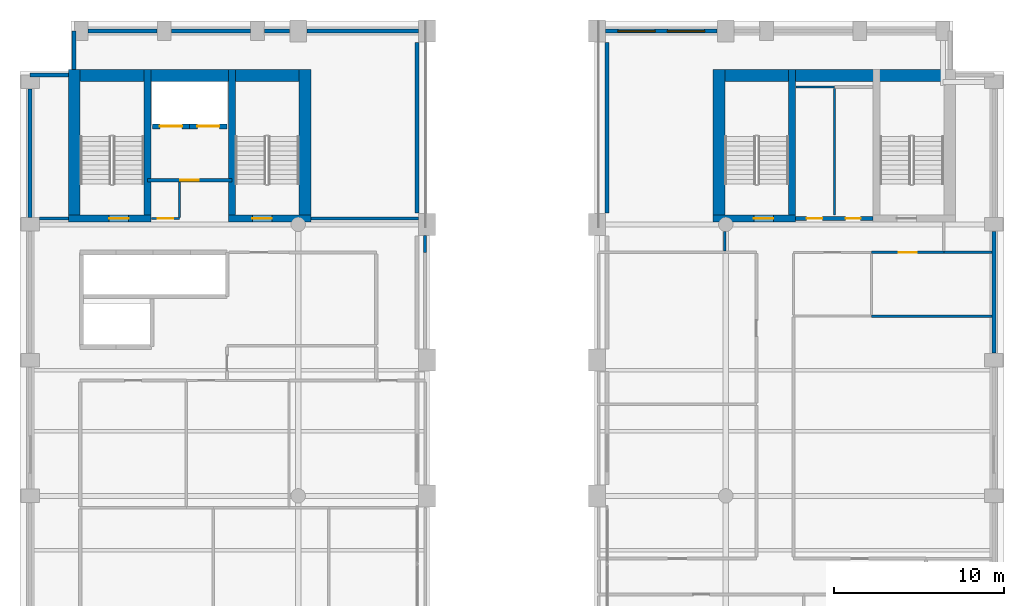
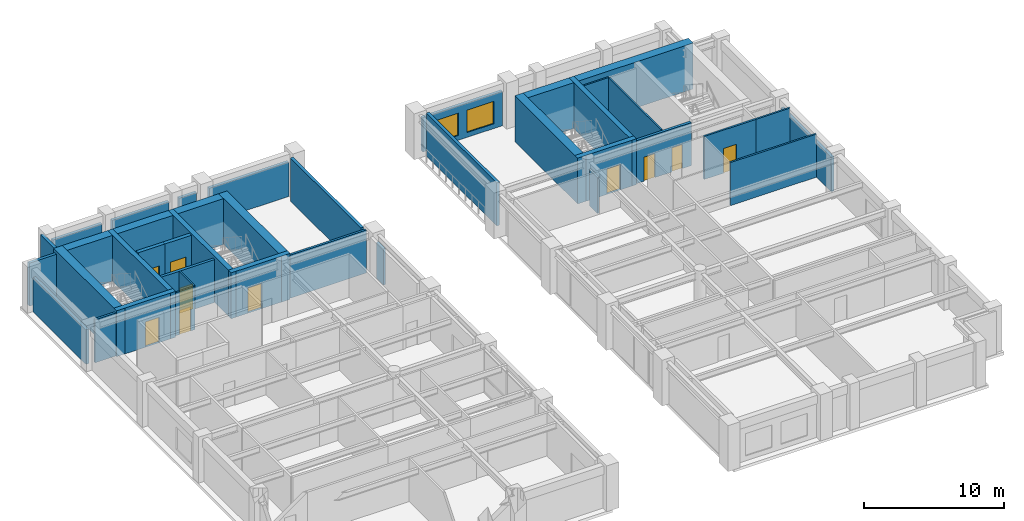
# One storey, part 7 of 10: 37 walls, 10 doors, 2 windows, 12 openings.
"""IFC4 building model written with IfcOpenShell, lengths in metres."""

from ifc_helpers import new_model, si_unit, direction, frame, frame_2d, origin, place, context, subcontext, project, spatial, rectangle, extrude, material, layer, layer_set, type_object, element, fill, save


model = new_model("IFC4")

# Units and contexts
model_context = context("Model", 3, precision=1e-05, world=origin(), true_north=direction((0.0, 1.0)))
body_context = subcontext(model_context, "Body", "Model", "MODEL_VIEW")
ifc_project = project(units=[si_unit("LENGTHUNIT", "METRE"), si_unit("AREAUNIT", "SQUARE_METRE"), si_unit("VOLUMEUNIT", "CUBIC_METRE"), si_unit("PLANEANGLEUNIT", "RADIAN"), si_unit("MASSUNIT", "GRAM", prefix="KILO")], contexts=[model_context])

# Site, building, storey
site_placement = place(None, origin())
site = spatial("IfcSite", under=ifc_project, at=site_placement, CompositionType="ELEMENT")
building_placement = place(site_placement, origin())
building = spatial("IfcBuilding", under=site, at=building_placement, Name="Sulina Concourse Tower", CompositionType="ELEMENT")
storey_placement = place(building_placement, frame((0.0, 0.0, 190.60009765625)))
storey = spatial("IfcBuildingStorey", under=building, at=storey_placement, Name="L46", CompositionType="ELEMENT", Elevation=190.60009765625)

# Wall, opening, door
ifc_material_1 = material(Name="Concrete C50/60", Category="concrete")
ifc_layer_1 = layer(ifc_material_1, 0.300048828125)
ifc_layer_set_1 = layer_set([ifc_layer_1], Name="Concrete C50/60")
wall_type_1 = type_object("IfcWallType", Name="Core Lift Hoistway Wall 300mm", PredefinedType="SOLIDWALL", material=ifc_layer_set_1)
wall_1_placement = place(storey_placement, frame((10.0, 39.780029296875, 0.0), z_axis=(0.0, 0.0, 1.0), x_axis=(-1.0, 0.0, 0.0)))
wall_1 = element("IfcWall", 1, at=wall_1_placement, inside=storey, type_object=wall_type_1, Name="L46 hoistway enclosure wall FFL-1", PredefinedType="SOLIDWALL", context=body_context, shape_type="SweptSolid", body=[
    extrude(rectangle(XDim=2.199951171875, YDim=0.300048828125, at=frame_2d((1.10009765625, 0.0))), origin(), (0.0, 0.0, 1.0), 4.0),
])
opening_1_placement = place(wall_1_placement, frame((0.449951171875, 0.0, 0.0)))
opening_1 = element("IfcOpeningElement", 2, at=opening_1_placement, cuts=wall_1, Name="Opening LD-02", PredefinedType="OPENING", context=body_context, shape_type="SweptSolid", body=[
    extrude(rectangle(XDim=1.300048828125, YDim=2.25, at=frame_2d((0.64990234375, 1.125))), frame((0.0, 0.159912109375, 0.0), z_axis=(0.0, -1.0, 0.0), x_axis=(1.0, 0.0, 0.0)), (0.0, 0.0, 1.0), 0.320068359375),
])
ifc_material_2 = material(Name="Stainless steel lift landing door", Category="steel")
ifc_layer_2 = layer(ifc_material_2, 0.050048828125)
ifc_layer_set_2 = layer_set([ifc_layer_2], Name="Stainless steel lift landing door")
door_type_1 = type_object("IfcDoorType", Name="Firefighting Lift Sliding Landing Door 1300x2250", OperationType="SLIDING_TO_RIGHT", PredefinedType="DOOR", material=ifc_layer_set_2)
door_1_placement = place(opening_1_placement, origin())
door_1 = element("IfcDoor", 3, at=door_1_placement, inside=storey, type_object=door_type_1, Name="L46 lift landing sliding door FFL-1", OperationType="SLIDING_TO_LEFT", OverallHeight=2.25, OverallWidth=1.300048828125, PredefinedType="DOOR", context=body_context, shape_type="SweptSolid", body=[
    extrude(rectangle(XDim=1.300048828125, YDim=2.25, at=frame_2d((0.64990234375, 1.125))), frame((0.0, 0.02490234375, 0.0), z_axis=(0.0, -1.0, 0.0), x_axis=(1.0, 0.0, 0.0)), (0.0, 0.0, 1.0), 0.050048828125),
])
fill(opening_1, door_1)

wall_2_placement = place(storey_placement, frame((12.199951171875, 39.780029296875, 0.0), z_axis=(0.0, 0.0, 1.0), x_axis=(-1.0, 0.0, 0.0)))
wall_2 = element("IfcWall", 4, at=wall_2_placement, inside=storey, type_object=wall_type_1, Name="L46 hoistway enclosure wall FFL-2", PredefinedType="SOLIDWALL", context=body_context, shape_type="SweptSolid", body=[
    extrude(rectangle(XDim=2.199951171875, YDim=0.300048828125, at=frame_2d((1.10009765625, 0.0))), origin(), (0.0, 0.0, 1.0), 4.0),
])
opening_2_placement = place(wall_2_placement, frame((0.449951171875, 0.0, 0.0)))
opening_2 = element("IfcOpeningElement", 5, at=opening_2_placement, cuts=wall_2, Name="Opening LD-02", PredefinedType="OPENING", context=body_context, shape_type="SweptSolid", body=[
    extrude(rectangle(XDim=1.300048828125, YDim=2.25, at=frame_2d((0.64990234375, 1.125))), frame((0.0, 0.159912109375, 0.0), z_axis=(0.0, -1.0, 0.0), x_axis=(1.0, 0.0, 0.0)), (0.0, 0.0, 1.0), 0.320068359375),
])
door_2_placement = place(opening_2_placement, origin())
door_2 = element("IfcDoor", 6, at=door_2_placement, inside=storey, type_object=door_type_1, Name="L46 lift landing sliding door FFL-2", OperationType="SLIDING_TO_RIGHT", OverallHeight=2.25, OverallWidth=1.300048828125, PredefinedType="DOOR", context=body_context, shape_type="SweptSolid", body=[
    extrude(rectangle(XDim=1.300048828125, YDim=2.25, at=frame_2d((0.64990234375, 1.125))), frame((0.0, 0.02490234375, 0.0), z_axis=(0.0, -1.0, 0.0), x_axis=(1.0, 0.0, 0.0)), (0.0, 0.0, 1.0), 0.050048828125),
])
fill(opening_2, door_2)

# Walls
ifc_material_3 = material(Name="Precast concrete C50/60", Category="concrete")
ifc_layer_3 = layer(ifc_material_3, 0.239990234375)
ifc_layer_set_3 = layer_set([ifc_layer_3], Name="Precast concrete C50/60")
wall_type_2 = type_object("IfcWallType", Name="Crown Precast Masonry-Frame Facade Wall 240mm", PredefinedType="SOLIDWALL", material=ifc_layer_set_3)
wall_3_placement = place(storey_placement, frame((0.60009765625, 34.419921875, 0.0), z_axis=(0.0, 0.0, 1.0), x_axis=(0.0, 1.0, 0.0)))
element("IfcWall", 7, at=wall_3_placement, inside=storey, type_object=wall_type_2, Name="L46 exterior precast wall W5", PredefinedType="SOLIDWALL", context=body_context, shape_type="SweptSolid", body=[
    extrude(rectangle(XDim=7.56005859375, YDim=0.239990234375, at=frame_2d((3.780029296875, 0.0))), origin(), (0.0, 0.0, 1.0), 3.0),
])
wall_4_placement = place(storey_placement, frame((4.02001953125, 45.39990234375, 0.0), z_axis=(0.0, 0.0, 1.0), x_axis=(1.0, 0.0, 0.0)))
element("IfcWall", 8, at=wall_4_placement, inside=storey, type_object=wall_type_2, Name="L46 exterior precast wall N1", PredefinedType="SOLIDWALL", context=body_context, shape_type="SweptSolid", body=[
    extrude(rectangle(XDim=4.06005859375, YDim=0.239990234375, at=frame_2d((2.030029296875, 0.0))), origin(), (0.0, 0.0, 1.0), 3.0),
])
wall_5_placement = place(storey_placement, frame((8.919921875, 45.39990234375, 0.0), z_axis=(0.0, 0.0, 1.0), x_axis=(1.0, 0.0, 0.0)))
element("IfcWall", 9, at=wall_5_placement, inside=storey, type_object=wall_type_2, Name="L46 exterior precast wall N2", PredefinedType="SOLIDWALL", context=body_context, shape_type="SweptSolid", body=[
    extrude(rectangle(XDim=4.66015625, YDim=0.239990234375, at=frame_2d((2.330078125, 0.0))), origin(), (0.0, 0.0, 1.0), 3.0),
])
wall_6_placement = place(storey_placement, frame((14.419921875, 45.39990234375, 0.0), z_axis=(0.0, 0.0, 1.0), x_axis=(1.0, 0.0, 0.0)))
element("IfcWall", 10, at=wall_6_placement, inside=storey, type_object=wall_type_2, Name="L46 exterior precast wall N3", PredefinedType="SOLIDWALL", context=body_context, shape_type="SweptSolid", body=[
    extrude(rectangle(XDim=1.4599609375, YDim=0.239990234375, at=frame_2d((0.72998046875, 0.0))), origin(), (0.0, 0.0, 1.0), 3.0),
])
wall_7_placement = place(storey_placement, frame((16.919921875, 45.39990234375, 0.0), z_axis=(0.0, 0.0, 1.0), x_axis=(1.0, 0.0, 0.0)))
element("IfcWall", 11, at=wall_7_placement, inside=storey, type_object=wall_type_2, Name="L46 exterior precast wall N4", PredefinedType="SOLIDWALL", context=body_context, shape_type="SweptSolid", body=[
    extrude(rectangle(XDim=6.56005859375, YDim=0.239990234375, at=frame_2d((3.280029296875, 0.0))), origin(), (0.0, 0.0, 1.0), 3.0),
])

# Wall, openings, windows
wall_8_placement = place(storey_placement, frame((34.52001953125, 45.39990234375, 0.0), z_axis=(0.0, 0.0, 1.0), x_axis=(1.0, 0.0, 0.0)))
wall_8 = element("IfcWall", 12, at=wall_8_placement, inside=storey, type_object=wall_type_2, Name="L46 exterior precast wall N6", PredefinedType="SOLIDWALL", context=body_context, shape_type="SweptSolid", body=[
    extrude(rectangle(XDim=6.56005859375, YDim=0.239990234375, at=frame_2d((3.280029296875, 0.0))), origin(), (0.0, 0.0, 1.0), 3.0),
])
opening_3_placement = place(wall_8_placement, frame((0.719970703125, 0.0, 0.419921875)))
opening_3 = element("IfcOpeningElement", 13, at=opening_3_placement, cuts=wall_8, Name="Opening WN-76", PredefinedType="OPENING", context=body_context, shape_type="SweptSolid", body=[
    extrude(rectangle(XDim=2.199951171875, YDim=1.949951171875, at=frame_2d((1.10009765625, 0.97509765625))), frame((0.0, 0.1298828125, 0.0), z_axis=(0.0, -1.0, 0.0), x_axis=(1.0, 0.0, 0.0)), (0.0, 0.0, 1.0), 0.260009765625),
])
opening_4_placement = place(wall_8_placement, frame((3.639892578125, 0.0, 0.419921875)))
opening_4 = element("IfcOpeningElement", 14, at=opening_4_placement, cuts=wall_8, Name="Opening WN-76", PredefinedType="OPENING", context=body_context, shape_type="SweptSolid", body=[
    extrude(rectangle(XDim=2.199951171875, YDim=1.949951171875, at=frame_2d((1.10009765625, 0.97509765625))), frame((0.0, 0.1298828125, 0.0), z_axis=(0.0, -1.0, 0.0), x_axis=(1.0, 0.0, 0.0)), (0.0, 0.0, 1.0), 0.260009765625),
])
ifc_material_4 = material(Name="Low-E solar double glazing in bronze aluminium", Category="aluminium")
window_type = type_object("IfcWindowType", Name="Recessed Spandrel Window 2200x1950", PartitioningType="DOUBLE_PANEL_VERTICAL", PredefinedType="WINDOW", material=ifc_material_4)
window_1_placement = place(opening_3_placement, origin())
window_1 = element("IfcWindow", 15, at=window_1_placement, inside=storey, type_object=window_type, Name="L46 punched window N6-1", OverallHeight=1.949951171875, OverallWidth=2.199951171875, PartitioningType="SINGLE_PANEL", PredefinedType="WINDOW", context=body_context, shape_type="SweptSolid", body=[
    extrude(rectangle(XDim=2.199951171875, YDim=1.949951171875, at=frame_2d((1.10009765625, 0.97509765625))), frame((0.0, 0.030029296875, 0.0), z_axis=(0.0, -1.0, 0.0), x_axis=(1.0, 0.0, 0.0)), (0.0, 0.0, 1.0), 0.06005859375),
])
fill(opening_3, window_1)
window_2_placement = place(opening_4_placement, origin())
window_2 = element("IfcWindow", 16, at=window_2_placement, inside=storey, type_object=window_type, Name="L46 punched window N6-2", OverallHeight=1.949951171875, OverallWidth=2.199951171875, PartitioningType="SINGLE_PANEL", PredefinedType="WINDOW", context=body_context, shape_type="SweptSolid", body=[
    extrude(rectangle(XDim=2.199951171875, YDim=1.949951171875, at=frame_2d((1.10009765625, 0.97509765625))), frame((0.0, 0.030029296875, 0.0), z_axis=(0.0, -1.0, 0.0), x_axis=(1.0, 0.0, 0.0)), (0.0, 0.0, 1.0), 0.06005859375),
])
fill(opening_4, window_2)

# Walls
wall_9_placement = place(storey_placement, frame((57.39990234375, 33.580078125, 0.0), z_axis=(0.0, 0.0, 1.0), x_axis=(0.0, -1.0, 0.0)))
element("IfcWall", 17, at=wall_9_placement, inside=storey, type_object=wall_type_2, Name="L46 exterior precast wall E4", PredefinedType="SOLIDWALL", context=body_context, shape_type="SweptSolid", body=[
    extrude(rectangle(XDim=7.16015625, YDim=0.239990234375, at=frame_2d((3.580078125, 0.0))), origin(), (0.0, 0.0, 1.0), 3.0),
])
wall_10_placement = place(storey_placement, frame((0.60009765625, 42.820068359375, 0.0), z_axis=(0.0, 0.0, 1.0), x_axis=(1.0, 0.0, 0.0)))
element("IfcWall", 18, at=wall_10_placement, inside=storey, type_object=wall_type_2, Name="L46 exterior precast wall CNW1", PredefinedType="SOLIDWALL", context=body_context, shape_type="SweptSolid", body=[
    extrude(rectangle(XDim=2.244873046875, YDim=0.239990234375, at=frame_2d((1.12255859375, 0.0))), origin(), (0.0, 0.0, 1.0), 3.75),
])
wall_11_placement = place(storey_placement, frame((3.179931640625, 43.135009765625, 0.0), z_axis=(0.0, 0.0, 1.0), x_axis=(0.0, 1.0, 0.0)))
element("IfcWall", 19, at=wall_11_placement, inside=storey, type_object=wall_type_2, Name="L46 exterior precast wall CNW2", PredefinedType="SOLIDWALL", context=body_context, shape_type="SweptSolid", body=[
    extrude(rectangle(XDim=2.264892578125, YDim=0.239990234375, at=frame_2d((1.13232421875, 0.0))), origin(), (0.0, 0.0, 1.0), 3.75),
])
for number, where, z_axis, x_axis, name in (
    (20, (23.39990234375, 44.72998046875, 0.0), (0.0, 0.0, 1.0), (0.0, -1.0, 0.0), "L46 exterior precast wall PW5"),
    (21, (34.60009765625, 34.669921875, 0.0), (0.0, 0.0, 1.0), (0.0, 1.0, 0.0), "L46 exterior precast wall PE5"),
):
    element("IfcWall", number, at=place(storey_placement, frame(where, z_axis=z_axis, x_axis=x_axis)), inside=storey, type_object=wall_type_2, Name=name, PredefinedType="SOLIDWALL", context=body_context, shape_type="SweptSolid", body=[
        extrude(rectangle(XDim=10.06005859375, YDim=0.239990234375, at=frame_2d((5.030029296875, 0.0))), origin(), (0.0, 0.0, 1.0), 3.75),
    ])

# Wall, opening, door
ifc_material_5 = material(Name="Gypsum board on steel stud", Category="steel")
ifc_layer_4 = layer(ifc_material_5, 0.219970703125)
ifc_layer_set_4 = layer_set([ifc_layer_4], Name="Gypsum board on steel stud")
wall_type_3 = type_object("IfcWallType", Name="Fire-Rated Lobby & Compartment Wall 220mm", PredefinedType="PARTITIONING", material=ifc_layer_set_4)
wall_12_placement = place(storey_placement, frame((7.510009765625, 36.60009765625, 0.0), z_axis=(0.0, 0.0, 1.0), x_axis=(1.0, 0.0, 0.0)))
wall_12 = element("IfcWall", 22, at=wall_12_placement, inside=storey, type_object=wall_type_3, Name="L46 firefighting lobby south fire wall", PredefinedType="PARTITIONING", context=body_context, shape_type="SweptSolid", body=[
    extrude(rectangle(XDim=4.97998046875, YDim=0.219970703125, at=frame_2d((2.489990234375, 0.0))), origin(), (0.0, 0.0, 1.0), 3.75),
])
opening_5_placement = place(wall_12_placement, frame((1.93994140625, 0.0, 0.0)))
opening_5 = element("IfcOpeningElement", 23, at=opening_5_placement, cuts=wall_12, Name="Opening DR-47", PredefinedType="OPENING", context=body_context, shape_type="SweptSolid", body=[
    extrude(rectangle(XDim=1.10009765625, YDim=2.199951171875, at=frame_2d((0.550048828125, 1.10009765625))), frame((0.0, 0.119873046875, 0.0), z_axis=(0.0, -1.0, 0.0), x_axis=(1.0, 0.0, 0.0)), (0.0, 0.0, 1.0), 0.239990234375),
])
ifc_material_6 = material(Name="Galvanised steel acoustic fire leaf", Category="steel")
ifc_layer_5 = layer(ifc_material_6, 0.054931640625)
ifc_layer_set_5 = layer_set([ifc_layer_5], Name="Galvanised steel acoustic fire leaf")
door_type_2 = type_object("IfcDoorType", Name="Firefighting Lobby Fire Door 1100x2200", OperationType="NOTDEFINED", PredefinedType="DOOR", material=ifc_layer_set_5)
door_3_placement = place(opening_5_placement, origin())
door_3 = element("IfcDoor", 24, at=door_3_placement, inside=storey, type_object=door_type_2, Name="L46 firefighting lobby fire door", OperationType="SINGLE_SWING_LEFT", OverallHeight=2.199951171875, OverallWidth=1.10009765625, PredefinedType="DOOR", context=body_context, shape_type="SweptSolid", body=[
    extrude(rectangle(XDim=1.10009765625, YDim=2.199951171875, at=frame_2d((0.550048828125, 1.10009765625))), frame((0.0, 0.02490234375, 0.0), z_axis=(0.0, -1.0, 0.0), x_axis=(1.0, 0.0, 0.0)), (0.0, 0.0, 1.0), 0.050048828125),
])
fill(opening_5, door_3)

# Wall, openings, doors
wall_13_placement = place(storey_placement, frame((45.719970703125, 34.35009765625, 0.0), z_axis=(0.0, 0.0, 1.0), x_axis=(1.0, 0.0, 0.0)))
wall_13 = element("IfcWall", 25, at=wall_13_placement, inside=storey, type_object=wall_type_3, Name="L46 east core south lobby wall", PredefinedType="PARTITIONING", context=body_context, shape_type="SweptSolid", body=[
    extrude(rectangle(XDim=4.56005859375, YDim=0.219970703125, at=frame_2d((2.280029296875, 0.0))), origin(), (0.0, 0.0, 1.0), 3.75),
])
opening_6_placement = place(wall_13_placement, frame((0.64990234375, 0.0, 0.0)))
opening_6 = element("IfcOpeningElement", 26, at=opening_6_placement, cuts=wall_13, Name="Opening DR-61", PredefinedType="OPENING", context=body_context, shape_type="SweptSolid", body=[
    extrude(rectangle(XDim=0.919921875, YDim=2.10009765625, at=frame_2d((0.4599609375, 1.050048828125))), frame((0.0, 0.119873046875, 0.0), z_axis=(0.0, -1.0, 0.0), x_axis=(1.0, 0.0, 0.0)), (0.0, 0.0, 1.0), 0.239990234375),
])
opening_7_placement = place(wall_13_placement, frame((2.949951171875, 0.0, 0.0)))
opening_7 = element("IfcOpeningElement", 27, at=opening_7_placement, cuts=wall_13, Name="Opening DR-38", PredefinedType="OPENING", context=body_context, shape_type="SweptSolid", body=[
    extrude(rectangle(XDim=0.8798828125, YDim=2.10009765625, at=frame_2d((0.43994140625, 1.050048828125))), frame((0.0, 0.119873046875, 0.0), z_axis=(0.0, -1.0, 0.0), x_axis=(1.0, 0.0, 0.0)), (0.0, 0.0, 1.0), 0.239990234375),
])
ifc_material_7 = material(Name="Oak-veneered fire door leaf")
ifc_layer_6 = layer(ifc_material_7, 0.050048828125)
ifc_layer_set_6 = layer_set([ifc_layer_6], Name="Oak-veneered fire door leaf")
door_type_3 = type_object("IfcDoorType", Name="Accessible WC Door 920x2100", OperationType="NOTDEFINED", PredefinedType="DOOR", material=ifc_layer_set_6)
door_4_placement = place(opening_6_placement, origin())
door_4 = element("IfcDoor", 28, at=door_4_placement, inside=storey, type_object=door_type_3, Name="L46 east core accessible wc door", OperationType="SINGLE_SWING_LEFT", OverallHeight=2.10009765625, OverallWidth=0.919921875, PredefinedType="DOOR", context=body_context, shape_type="SweptSolid", body=[
    extrude(rectangle(XDim=0.919921875, YDim=2.10009765625, at=frame_2d((0.4599609375, 1.050048828125))), frame((0.0, 0.02490234375, 0.0), z_axis=(0.0, -1.0, 0.0), x_axis=(1.0, 0.0, 0.0)), (0.0, 0.0, 1.0), 0.050048828125),
])
fill(opening_6, door_4)
ifc_material_8 = material(Name="Galvanised steel acoustic fire leaf", Category="steel")
ifc_layer_7 = layer(ifc_material_8, 0.050048828125)
ifc_layer_set_7 = layer_set([ifc_layer_7], Name="Galvanised steel acoustic fire leaf")
door_type_4 = type_object("IfcDoorType", Name="Service Riser Fire Door 880x2100", OperationType="NOTDEFINED", PredefinedType="DOOR", material=ifc_layer_set_7)
door_5_placement = place(opening_7_placement, origin())
door_5 = element("IfcDoor", 29, at=door_5_placement, inside=storey, type_object=door_type_4, Name="L46 east core store door", OperationType="SINGLE_SWING_RIGHT", OverallHeight=2.10009765625, OverallWidth=0.8798828125, PredefinedType="DOOR", context=body_context, shape_type="SweptSolid", body=[
    extrude(rectangle(XDim=0.8798828125, YDim=2.10009765625, at=frame_2d((0.43994140625, 1.050048828125))), frame((0.0, 0.02490234375, 0.0), z_axis=(0.0, -1.0, 0.0), x_axis=(1.0, 0.0, 0.0)), (0.0, 0.0, 1.0), 0.050048828125),
])
fill(opening_7, door_5)

# Wall
ifc_material_9 = material(Name="Gypsum board on steel stud", Category="steel")
ifc_layer_8 = layer(ifc_material_9, 0.14990234375)
ifc_layer_set_8 = layer_set([ifc_layer_8], Name="Gypsum board on steel stud")
wall_type_4 = type_object("IfcWallType", Name="Inter-Tenancy Acoustic Partition 150mm", PredefinedType="PARTITIONING", material=ifc_layer_set_8)
wall_14_placement = place(storey_placement, frame((50.199951171875, 28.60009765625, 0.0), z_axis=(0.0, 0.0, 1.0), x_axis=(1.0, 0.0, 0.0)))
element("IfcWall", 30, at=wall_14_placement, inside=storey, type_object=wall_type_4, Name="L46 interior partition 026", PredefinedType="PARTITIONING", context=body_context, shape_type="SweptSolid", body=[
    extrude(rectangle(XDim=7.080078125, YDim=0.14990234375, at=frame_2d((3.5400390625, 0.0))), origin(), (0.0, 0.0, 1.0), 3.75),
])

# Wall, opening, door
wall_15_placement = place(storey_placement, frame((50.199951171875, 32.35009765625, 0.0), z_axis=(0.0, 0.0, 1.0), x_axis=(1.0, 0.0, 0.0)))
wall_15 = element("IfcWall", 31, at=wall_15_placement, inside=storey, type_object=wall_type_4, Name="L46 interior partition 032", PredefinedType="PARTITIONING", context=body_context, shape_type="SweptSolid", body=[
    extrude(rectangle(XDim=4.25, YDim=0.14990234375, at=frame_2d((2.125, 0.0))), origin(), (0.0, 0.0, 1.0), 3.75),
])
opening_8_placement = place(wall_15_placement, frame((1.60009765625, 0.0, 0.0)))
opening_8 = element("IfcOpeningElement", 32, at=opening_8_placement, cuts=wall_15, Name="Opening DR-37", PredefinedType="OPENING", context=body_context, shape_type="SweptSolid", body=[
    extrude(rectangle(XDim=1.050048828125, YDim=2.14990234375, at=frame_2d((0.52490234375, 1.074951171875))), frame((0.0, 0.0849609375, 0.0), z_axis=(0.0, -1.0, 0.0), x_axis=(1.0, 0.0, 0.0)), (0.0, 0.0, 1.0), 0.169921875),
])
ifc_material_10 = material(Name="Oak-veneered fire door leaf")
ifc_layer_9 = layer(ifc_material_10, 0.050048828125)
ifc_layer_set_9 = layer_set([ifc_layer_9], Name="Oak-veneered fire door leaf")
door_type_5 = type_object("IfcDoorType", Name="Tenant Suite Entrance Fire Door 1050x2150", OperationType="NOTDEFINED", PredefinedType="DOOR", material=ifc_layer_set_9)
door_6_placement = place(opening_8_placement, origin())
door_6 = element("IfcDoor", 33, at=door_6_placement, inside=storey, type_object=door_type_5, Name="L46 interior door L46-PNT-EU2", OperationType="SINGLE_SWING_RIGHT", OverallHeight=2.14990234375, OverallWidth=1.050048828125, PredefinedType="DOOR", context=body_context, shape_type="SweptSolid", body=[
    extrude(rectangle(XDim=1.050048828125, YDim=2.14990234375, at=frame_2d((0.52490234375, 1.074951171875))), frame((0.0, 0.02490234375, 0.0), z_axis=(0.0, -1.0, 0.0), x_axis=(1.0, 0.0, 0.0)), (0.0, 0.0, 1.0), 0.050048828125),
])
fill(opening_8, door_6)

# Walls
wall_16_placement = place(storey_placement, frame((54.449951171875, 32.35009765625, 0.0), z_axis=(0.0, 0.0, 1.0), x_axis=(1.0, 0.0, 0.0)))
element("IfcWall", 34, at=wall_16_placement, inside=storey, type_object=wall_type_4, Name="L46 interior partition 033", PredefinedType="PARTITIONING", context=body_context, shape_type="SweptSolid", body=[
    extrude(rectangle(XDim=2.830078125, YDim=0.14990234375, at=frame_2d((1.4150390625, 0.0))), origin(), (0.0, 0.0, 1.0), 3.75),
])
wall_17_placement = place(storey_placement, frame((41.550048828125, 32.425048828125, 0.0), z_axis=(0.0, 0.0, 1.0), x_axis=(0.0, 1.0, 0.0)))
element("IfcWall", 35, at=wall_17_placement, inside=storey, type_object=wall_type_4, Name="L46 interior partition 063", PredefinedType="PARTITIONING", context=body_context, shape_type="SweptSolid", body=[
    extrude(rectangle(XDim=1.14990234375, YDim=0.14990234375, at=frame_2d((0.574951171875, 0.0))), origin(), (0.0, 0.0, 1.0), 3.14501953125),
])
ifc_material_11 = material(Name="Gypsum board on steel stud", Category="steel")
ifc_layer_10 = layer(ifc_material_11, 0.179931640625)
ifc_layer_set_10 = layer_set([ifc_layer_10], Name="Gypsum board on steel stud")
wall_type_5 = type_object("IfcWallType", Name="Protected Corridor & Riser Partition 180mm", PredefinedType="PARTITIONING", material=ifc_layer_set_10)
wall_18_placement = place(storey_placement, frame((1.14990234375, 34.35009765625, 0.0), z_axis=(0.0, 0.0, 1.0), x_axis=(1.0, 0.0, 0.0)))
element("IfcWall", 36, at=wall_18_placement, inside=storey, type_object=wall_type_5, Name="L46 interior partition 034", PredefinedType="PARTITIONING", context=body_context, shape_type="SweptSolid", body=[
    extrude(rectangle(XDim=1.7001953125, YDim=0.179931640625, at=frame_2d((0.85009765625, 0.0))), origin(), (0.0, 0.0, 1.0), 3.75),
])
wall_19_placement = place(storey_placement, frame((17.14990234375, 34.35009765625, 0.0), z_axis=(0.0, 0.0, 1.0), x_axis=(1.0, 0.0, 0.0)))
element("IfcWall", 37, at=wall_19_placement, inside=storey, type_object=wall_type_5, Name="L46 interior partition 036", PredefinedType="PARTITIONING", context=body_context, shape_type="SweptSolid", body=[
    extrude(rectangle(XDim=6.35009765625, YDim=0.179931640625, at=frame_2d((3.175048828125, 0.0))), origin(), (0.0, 0.0, 1.0), 3.75),
])
wall_20_placement = place(storey_placement, frame((23.8798828125, 32.35009765625, 0.0), z_axis=(0.0, 0.0, 1.0), x_axis=(0.0, 1.0, 0.0)))
element("IfcWall", 38, at=wall_20_placement, inside=storey, type_object=wall_type_5, Name="L46 interior partition 055", PredefinedType="PARTITIONING", context=body_context, shape_type="SweptSolid", body=[
    extrude(rectangle(XDim=1.0, YDim=0.179931640625, at=frame_2d((0.5, 0.0))), origin(), (0.0, 0.0, 1.0), 3.14501953125),
])

# Wall, opening, door
ifc_material_12 = material(Name="Concrete C60/75", Category="concrete")
ifc_layer_11 = layer(ifc_material_12, 0.39990234375)
ifc_layer_set_11 = layer_set([ifc_layer_11], Name="Concrete C60/75")
wall_type_6 = type_object("IfcWallType", Name="Protected Stair Core Shear Wall 400mm", PredefinedType="SHEAR", material=ifc_layer_set_11)
wall_21_placement = place(storey_placement, frame((2.85009765625, 34.35009765625, 0.0), z_axis=(0.0, 0.0, 1.0), x_axis=(1.0, 0.0, 0.0)))
wall_21 = element("IfcWall", 39, at=wall_21_placement, inside=storey, type_object=wall_type_6, Name="L46 west core shear wall CW-WS1", PredefinedType="SHEAR", context=body_context, shape_type="SweptSolid", body=[
    extrude(rectangle(XDim=4.85986328125, YDim=0.39990234375, at=frame_2d((2.429931640625, 0.0))), origin(), (0.0, 0.0, 1.0), 4.0),
])
opening_9_placement = place(wall_21_placement, frame((2.39990234375, 0.0, 0.0)))
opening_9 = element("IfcOpeningElement", 40, at=opening_9_placement, cuts=wall_21, Name="Opening DR-60", PredefinedType="OPENING", context=body_context, shape_type="SweptSolid", body=[
    extrude(rectangle(XDim=1.14990234375, YDim=2.199951171875, at=frame_2d((0.574951171875, 1.10009765625))), frame((0.0, 0.2099609375, 0.0), z_axis=(0.0, -1.0, 0.0), x_axis=(1.0, 0.0, 0.0)), (0.0, 0.0, 1.0), 0.419921875),
])
ifc_material_13 = material(Name="Galvanised steel acoustic fire leaf", Category="steel")
ifc_layer_12 = layer(ifc_material_13, 0.054931640625)
ifc_layer_set_12 = layer_set([ifc_layer_12], Name="Galvanised steel acoustic fire leaf")
door_type_6 = type_object("IfcDoorType", Name="Protected Exit Stair Fire Door 1150x2200", OperationType="NOTDEFINED", PredefinedType="DOOR", material=ifc_layer_set_12)
door_7_placement = place(opening_9_placement, origin())
door_7 = element("IfcDoor", 41, at=door_7_placement, inside=storey, type_object=door_type_6, Name="L46 stair ST-1 lobby fire door", OperationType="SINGLE_SWING_LEFT", OverallHeight=2.199951171875, OverallWidth=1.14990234375, PredefinedType="DOOR", context=body_context, shape_type="SweptSolid", body=[
    extrude(rectangle(XDim=1.14990234375, YDim=2.199951171875, at=frame_2d((0.574951171875, 1.10009765625))), frame((0.0, 0.02490234375, 0.0), z_axis=(0.0, -1.0, 0.0), x_axis=(1.0, 0.0, 0.0)), (0.0, 0.0, 1.0), 0.050048828125),
])
fill(opening_9, door_7)

wall_22_placement = place(storey_placement, frame((12.2900390625, 34.35009765625, 0.0), z_axis=(0.0, 0.0, 1.0), x_axis=(1.0, 0.0, 0.0)))
wall_22 = element("IfcWall", 42, at=wall_22_placement, inside=storey, type_object=wall_type_6, Name="L46 west core shear wall CW-WS2", PredefinedType="SHEAR", context=body_context, shape_type="SweptSolid", body=[
    extrude(rectangle(XDim=4.85986328125, YDim=0.39990234375, at=frame_2d((2.429931640625, 0.0))), origin(), (0.0, 0.0, 1.0), 4.0),
])
opening_10_placement = place(wall_22_placement, frame((1.39990234375, 0.0, 0.0)))
opening_10 = element("IfcOpeningElement", 43, at=opening_10_placement, cuts=wall_22, Name="Opening DR-60", PredefinedType="OPENING", context=body_context, shape_type="SweptSolid", body=[
    extrude(rectangle(XDim=1.14990234375, YDim=2.199951171875, at=frame_2d((0.574951171875, 1.10009765625))), frame((0.0, 0.2099609375, 0.0), z_axis=(0.0, -1.0, 0.0), x_axis=(1.0, 0.0, 0.0)), (0.0, 0.0, 1.0), 0.419921875),
])
door_8_placement = place(opening_10_placement, origin())
door_8 = element("IfcDoor", 44, at=door_8_placement, inside=storey, type_object=door_type_6, Name="L46 stair ST-2 lobby fire door", OperationType="SINGLE_SWING_RIGHT", OverallHeight=2.199951171875, OverallWidth=1.14990234375, PredefinedType="DOOR", context=body_context, shape_type="SweptSolid", body=[
    extrude(rectangle(XDim=1.14990234375, YDim=2.199951171875, at=frame_2d((0.574951171875, 1.10009765625))), frame((0.0, 0.02490234375, 0.0), z_axis=(0.0, -1.0, 0.0), x_axis=(1.0, 0.0, 0.0)), (0.0, 0.0, 1.0), 0.050048828125),
])
fill(opening_10, door_8)

# Walls
for number, where, z_axis, x_axis, name in (
    (45, (7.510009765625, 34.14990234375, 0.0), (0.0, 0.0, 1.0), (0.0, 1.0, 0.0), "L46 west core shear wall SW-ST1"),
    (46, (12.489990234375, 34.14990234375, 0.0), (0.0, 0.0, 1.0), (0.0, 1.0, 0.0), "L46 west core shear wall SW-ST2"),
):
    element("IfcWall", number, at=place(storey_placement, frame(where, z_axis=z_axis, x_axis=x_axis)), inside=storey, type_object=wall_type_6, Name=name, PredefinedType="SHEAR", context=body_context, shape_type="SweptSolid", body=[
        extrude(rectangle(XDim=8.97998046875, YDim=0.39990234375, at=frame_2d((4.489990234375, 0.0))), origin(), (0.0, 0.0, 1.0), 4.0),
    ])

# Wall, opening, door
wall_23_placement = place(storey_placement, frame((40.85009765625, 34.35009765625, 0.0), z_axis=(0.0, 0.0, 1.0), x_axis=(1.0, 0.0, 0.0)))
wall_23 = element("IfcWall", 47, at=wall_23_placement, inside=storey, type_object=wall_type_6, Name="L46 east core shear wall CW-ES1", PredefinedType="SHEAR", context=body_context, shape_type="SweptSolid", body=[
    extrude(rectangle(XDim=4.85986328125, YDim=0.39990234375, at=frame_2d((2.429931640625, 0.0))), origin(), (0.0, 0.0, 1.0), 4.0),
])
opening_11_placement = place(wall_23_placement, frame((2.39990234375, 0.0, 0.0)))
opening_11 = element("IfcOpeningElement", 48, at=opening_11_placement, cuts=wall_23, Name="Opening DR-60", PredefinedType="OPENING", context=body_context, shape_type="SweptSolid", body=[
    extrude(rectangle(XDim=1.14990234375, YDim=2.199951171875, at=frame_2d((0.574951171875, 1.10009765625))), frame((0.0, 0.2099609375, 0.0), z_axis=(0.0, -1.0, 0.0), x_axis=(1.0, 0.0, 0.0)), (0.0, 0.0, 1.0), 0.419921875),
])
door_9_placement = place(opening_11_placement, origin())
door_9 = element("IfcDoor", 49, at=door_9_placement, inside=storey, type_object=door_type_6, Name="L46 stair ST-3 south lobby fire door", OperationType="SINGLE_SWING_RIGHT", OverallHeight=2.199951171875, OverallWidth=1.14990234375, PredefinedType="DOOR", context=body_context, shape_type="SweptSolid", body=[
    extrude(rectangle(XDim=1.14990234375, YDim=2.199951171875, at=frame_2d((0.574951171875, 1.10009765625))), frame((0.0, 0.02490234375, 0.0), z_axis=(0.0, -1.0, 0.0), x_axis=(1.0, 0.0, 0.0)), (0.0, 0.0, 1.0), 0.050048828125),
])
fill(opening_11, door_9)

# Walls
wall_24_placement = place(storey_placement, frame((45.510009765625, 34.14990234375, 0.0), z_axis=(0.0, 0.0, 1.0), x_axis=(0.0, 1.0, 0.0)))
element("IfcWall", 50, at=wall_24_placement, inside=storey, type_object=wall_type_6, Name="L46 east core shear wall SW-ST3", PredefinedType="SHEAR", context=body_context, shape_type="SweptSolid", body=[
    extrude(rectangle(XDim=8.97998046875, YDim=0.39990234375, at=frame_2d((4.489990234375, 0.0))), origin(), (0.0, 0.0, 1.0), 4.0),
])
ifc_material_14 = material(Name="Concrete C60/75", Category="concrete")
ifc_layer_13 = layer(ifc_material_14, 0.699951171875)
ifc_layer_set_13 = layer_set([ifc_layer_13], Name="Concrete C60/75")
wall_type_7 = type_object("IfcWallType", Name="Rear Core Shear Wall 700mm", PredefinedType="SHEAR", material=ifc_layer_set_13)
wall_25_placement = place(storey_placement, frame((2.85009765625, 42.780029296875, 0.0), z_axis=(0.0, 0.0, 1.0), x_axis=(1.0, 0.0, 0.0)))
element("IfcWall", 51, at=wall_25_placement, inside=storey, type_object=wall_type_7, Name="L46 west core shear wall CW-WN", PredefinedType="SHEAR", context=body_context, shape_type="SweptSolid", body=[
    extrude(rectangle(XDim=14.2998046875, YDim=0.699951171875, at=frame_2d((7.14990234375, 0.0))), origin(), (0.0, 0.0, 1.0), 4.0),
])
for number, where, z_axis, x_axis, name in (
    (52, (3.199951171875, 34.14990234375, 0.0), (0.0, 0.0, 1.0), (0.0, 1.0, 0.0), "L46 west core shear wall CW-WW"),
    (53, (16.800048828125, 34.14990234375, 0.0), (0.0, 0.0, 1.0), (0.0, 1.0, 0.0), "L46 west core shear wall CW-WE"),
):
    element("IfcWall", number, at=place(storey_placement, frame(where, z_axis=z_axis, x_axis=x_axis)), inside=storey, type_object=wall_type_7, Name=name, PredefinedType="SHEAR", context=body_context, shape_type="SweptSolid", body=[
        extrude(rectangle(XDim=8.97998046875, YDim=0.699951171875, at=frame_2d((4.489990234375, 0.0))), origin(), (0.0, 0.0, 1.0), 4.0),
    ])
wall_26_placement = place(storey_placement, frame((40.85009765625, 42.780029296875, 0.0), z_axis=(0.0, 0.0, 1.0), x_axis=(1.0, 0.0, 0.0)))
element("IfcWall", 54, at=wall_26_placement, inside=storey, type_object=wall_type_7, Name="L46 east core shear wall CW-EN", PredefinedType="SHEAR", context=body_context, shape_type="SweptSolid", body=[
    extrude(rectangle(XDim=14.2998046875, YDim=0.699951171875, at=frame_2d((7.14990234375, 0.0))), origin(), (0.0, 0.0, 1.0), 4.0),
])
wall_27_placement = place(storey_placement, frame((41.199951171875, 34.14990234375, 0.0), z_axis=(0.0, 0.0, 1.0), x_axis=(0.0, 1.0, 0.0)))
element("IfcWall", 55, at=wall_27_placement, inside=storey, type_object=wall_type_7, Name="L46 east core shear wall CW-EW", PredefinedType="SHEAR", context=body_context, shape_type="SweptSolid", body=[
    extrude(rectangle(XDim=8.97998046875, YDim=0.699951171875, at=frame_2d((4.489990234375, 0.0))), origin(), (0.0, 0.0, 1.0), 4.0),
])

# Wall, opening, door
ifc_material_15 = material(Name="Gypsum board on steel stud", Category="steel")
ifc_layer_14 = layer(ifc_material_15, 0.125)
ifc_layer_set_14 = layer_set([ifc_layer_14], Name="Gypsum board on steel stud")
wall_type_8 = type_object("IfcWallType", Name="Wet-Area Moisture-Resistant Partition 125mm", PredefinedType="PARTITIONING", material=ifc_layer_set_14)
wall_28_placement = place(storey_placement, frame((7.75, 34.35009765625, 0.0), z_axis=(0.0, 0.0, 1.0), x_axis=(1.0, 0.0, 0.0)))
wall_28 = element("IfcWall", 56, at=wall_28_placement, inside=storey, type_object=wall_type_8, Name="L46 interior partition 035", PredefinedType="PARTITIONING", context=body_context, shape_type="SweptSolid", body=[
    extrude(rectangle(XDim=1.64990234375, YDim=0.125, at=frame_2d((0.824951171875, 0.0))), origin(), (0.0, 0.0, 1.0), 3.75),
])
opening_12_placement = place(wall_28_placement, frame((0.364990234375, 0.0, 0.0)))
opening_12 = element("IfcOpeningElement", 57, at=opening_12_placement, cuts=wall_28, Name="Opening DR-61", PredefinedType="OPENING", context=body_context, shape_type="SweptSolid", body=[
    extrude(rectangle(XDim=0.919921875, YDim=2.10009765625, at=frame_2d((0.4599609375, 1.050048828125))), frame((0.0, 0.072509765625, 0.0), z_axis=(0.0, -1.0, 0.0), x_axis=(1.0, 0.0, 0.0)), (0.0, 0.0, 1.0), 0.14501953125),
])
door_10_placement = place(opening_12_placement, origin())
door_10 = element("IfcDoor", 58, at=door_10_placement, inside=storey, type_object=door_type_3, Name="L46 interior door L46-WC-ACC", OperationType="SINGLE_SWING_LEFT", OverallHeight=2.10009765625, OverallWidth=0.919921875, PredefinedType="DOOR", context=body_context, shape_type="SweptSolid", body=[
    extrude(rectangle(XDim=0.919921875, YDim=2.10009765625, at=frame_2d((0.4599609375, 1.050048828125))), frame((0.0, 0.02490234375, 0.0), z_axis=(0.0, -1.0, 0.0), x_axis=(1.0, 0.0, 0.0)), (0.0, 0.0, 1.0), 0.050048828125),
])
fill(opening_12, door_10)

# Walls
wall_29_placement = place(storey_placement, frame((45.75, 42.10009765625, 0.0), z_axis=(0.0, 0.0, 1.0), x_axis=(1.0, 0.0, 0.0)))
element("IfcWall", 59, at=wall_29_placement, inside=storey, type_object=wall_type_8, Name="L46 interior partition 037", PredefinedType="PARTITIONING", context=body_context, shape_type="SweptSolid", body=[
    extrude(rectangle(XDim=2.25, YDim=0.125, at=frame_2d((1.125, 0.0))), origin(), (0.0, 0.0, 1.0), 3.75),
])
wall_30_placement = place(storey_placement, frame((9.39990234375, 34.41259765625, 0.0), z_axis=(0.0, 0.0, 1.0), x_axis=(0.0, 1.0, 0.0)))
element("IfcWall", 60, at=wall_30_placement, inside=storey, type_object=wall_type_8, Name="L46 interior partition 041", PredefinedType="PARTITIONING", context=body_context, shape_type="SweptSolid", body=[
    extrude(rectangle(XDim=2.077392578125, YDim=0.125, at=frame_2d((1.03857421875, 0.0))), origin(), (0.0, 0.0, 1.0), 3.75),
])
wall_31_placement = place(storey_placement, frame((48.0, 34.550048828125, 0.0), z_axis=(0.0, 0.0, 1.0), x_axis=(0.0, 1.0, 0.0)))
element("IfcWall", 61, at=wall_31_placement, inside=storey, type_object=wall_type_8, Name="L46 interior partition 069", PredefinedType="PARTITIONING", context=body_context, shape_type="SweptSolid", body=[
    extrude(rectangle(XDim=7.474853515625, YDim=0.125, at=frame_2d((3.7373046875, 0.0))), origin(), (0.0, 0.0, 1.0), 3.75),
])

save(model, "model.ifc")
